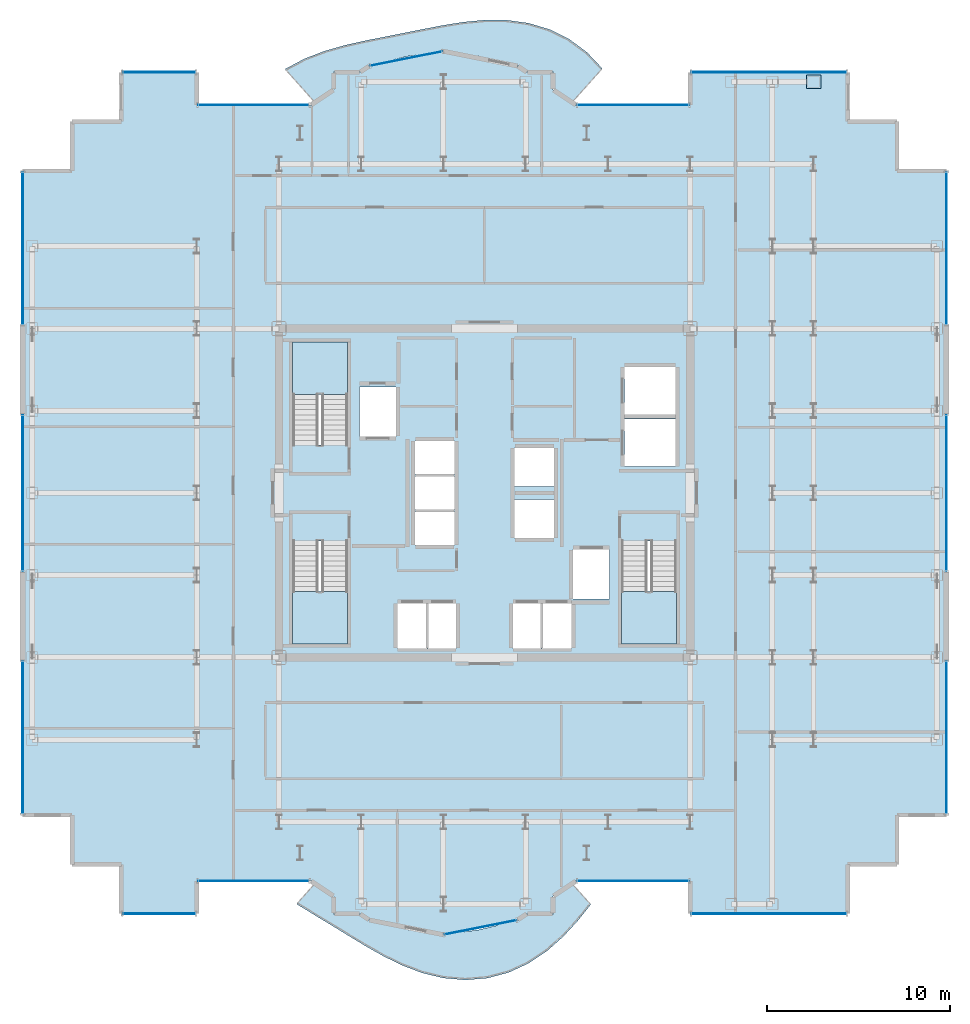
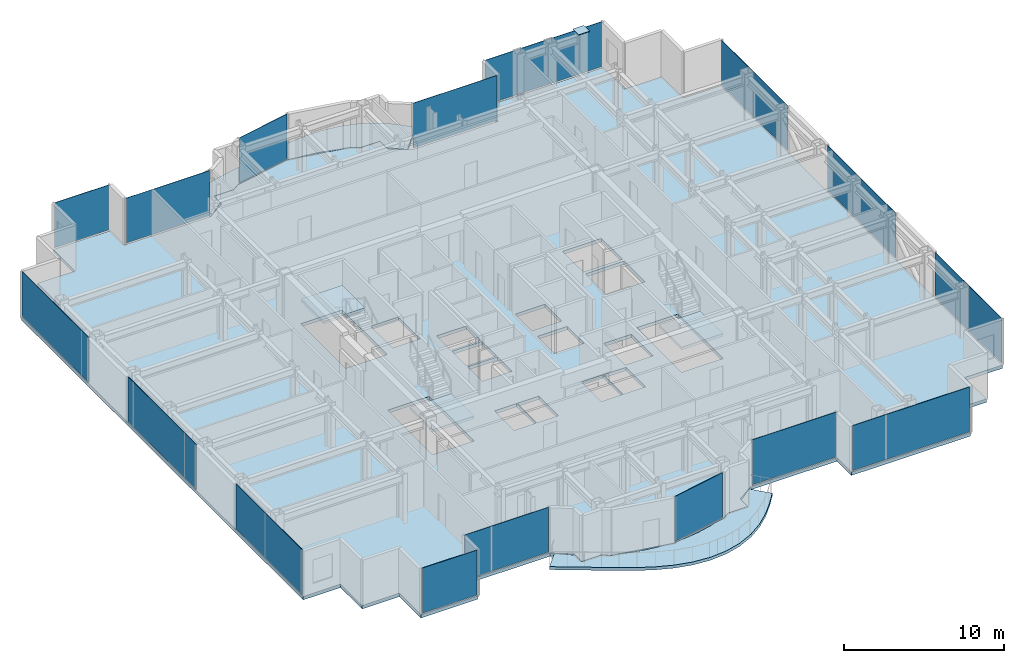
# One storey, part 14 of 22: 17 plates, 6 slabs, 19 elements without a shape of their own.
"""IFC4 building model written with IfcOpenShell, lengths in metres."""

from ifc_helpers import new_model, si_unit, direction, frame, origin, origin_2d, place, context, subcontext, project, spatial, polyline, rectangle, outline, extrude, source, transform, mapped, material, layer, layer_set, type_object, element, aggregate, save


model = new_model("IFC4")

# Units and contexts
model_context = context("Model", 3, precision=1e-05, world=origin(), true_north=direction((0.0, 1.0)))
body_context = subcontext(model_context, "Body", "Model", "MODEL_VIEW")
ifc_project = project(units=[si_unit("LENGTHUNIT", "METRE"), si_unit("AREAUNIT", "SQUARE_METRE"), si_unit("VOLUMEUNIT", "CUBIC_METRE"), si_unit("PLANEANGLEUNIT", "RADIAN"), si_unit("MASSUNIT", "GRAM", prefix="KILO")], contexts=[model_context])

# Site, building, storey
site_placement = place(None, origin())
site = spatial("IfcSite", under=ifc_project, at=site_placement, CompositionType="ELEMENT")
building_placement = place(site_placement, origin())
building = spatial("IfcBuilding", under=site, at=building_placement, Name="Nefas-Gora Pilgrimage Tower", CompositionType="ELEMENT")
storey_placement = place(building_placement, frame((0.0, 0.0, 218.0)))
storey = spatial("IfcBuildingStorey", under=building, at=storey_placement, Name="L54", CompositionType="ELEMENT", Elevation=218.0)

# Slabs
ifc_material_1 = material(Name="Concrete C40/50", Category="concrete")
ifc_layer_1 = layer(ifc_material_1, 0.22509765625)
ifc_layer_set_1 = layer_set([ifc_layer_1], Name="Concrete C40/50")
slab_type_1 = type_object("IfcSlabType", Name="SLB-BAL-P1", PredefinedType="FLOOR", material=ifc_layer_set_1)
slab_1_placement = place(storey_placement, frame((0.0, 0.0, -0.22509765625)))
element("IfcSlab", 1, at=slab_1_placement, inside=storey, type_object=slab_type_1, Name="L54 Sinusoidal Lobe Balcony Slab N (Phase 1)", PredefinedType="FLOOR", context=body_context, shape_type="SweptSolid", body=[
    extrude(outline(polyline([(-9.28759765625, 21.385986328125), (-9.224609375, 21.427978515625), (-8.538330078125, 21.9912109375), (-8.260009765625, 22.179931640625), (-8.260009765625, 23.02001953125), (-8.260009765625, 23.02099609375), (-8.259765625, 23.02197265625), (-8.259521484375, 23.02294921875), (-8.25927734375, 23.023681640625), (-8.2587890625, 23.024658203125), (-8.25830078125, 23.025634765625), (-8.2578125, 23.0263671875), (-8.257080078125, 23.027099609375), (-8.25634765625, 23.027587890625), (-8.255615234375, 23.0283203125), (-8.254638671875, 23.02880859375), (-8.25390625, 23.029296875), (-8.2529296875, 23.029541015625), (-8.251953125, 23.02978515625), (-8.2509765625, 23.030029296875), (-8.25, 23.030029296875), (-6.8271484375, 23.030029296875), (-6.31298828125, 23.37353515625), (-6.31201171875, 23.3740234375), (-6.311279296875, 23.37451171875), (-6.310302734375, 23.375), (-6.309326171875, 23.375), (-5.63037109375, 23.51025390625), (-5.102783203125, 23.685302734375), (-4.165283203125, 23.904052734375), (-3.211669921875, 24.035888671875), (-2.919921875, 24.04931640625), (-2.251953125, 24.18212890625), (-2.2509765625, 24.182373046875), (-2.25, 24.182373046875), (-2.2490234375, 24.182373046875), (-2.248046875, 24.18212890625), (-1.580078125, 24.04931640625), (-1.288330078125, 24.035888671875), (-0.334716796875, 23.904052734375), (0.602783203125, 23.685302734375), (1.13037109375, 23.51025390625), (1.809326171875, 23.375), (1.810302734375, 23.375), (1.811279296875, 23.37451171875), (1.81201171875, 23.3740234375), (1.81298828125, 23.37353515625), (2.3271484375, 23.030029296875), (3.75, 23.030029296875), (3.7509765625, 23.030029296875), (3.751953125, 23.02978515625), (3.7529296875, 23.029541015625), (3.75390625, 23.029296875), (3.754638671875, 23.02880859375), (3.755615234375, 23.0283203125), (3.75634765625, 23.027587890625), (3.757080078125, 23.027099609375), (3.7578125, 23.0263671875), (3.75830078125, 23.025634765625), (3.7587890625, 23.024658203125), (3.75927734375, 23.023681640625), (3.759521484375, 23.02294921875), (3.759765625, 23.02197265625), (3.760009765625, 23.02099609375), (3.760009765625, 23.02001953125), (3.760009765625, 22.179931640625), (4.038330078125, 21.9912109375), (4.724609375, 21.427978515625), (4.78759765625, 21.385986328125), (6.4453125, 23.22705078125), (5.615234375, 24.102783203125), (4.64697265625, 24.82470703125), (3.56640625, 25.364501953125), (2.41064453125, 25.711181640625), (1.22021484375, 25.87451171875), (0.031982421875, 25.882080078125), (-1.128662109375, 25.7744140625), (-2.25, 25.595947265625), (-3.335693359375, 25.38671875), (-4.400634765625, 25.17333984375), (-5.463623046875, 24.964599609375), (-6.54150390625, 24.749755859375), (-7.64111328125, 24.502197265625), (-8.754638671875, 24.184814453125), (-9.85888671875, 23.759521484375), (-10.916748046875, 23.1953125), (-9.28759765625, 21.385986328125)])), origin(), (0.0, 0.0, 1.0), 0.22509765625),
])
ifc_layer_2 = layer(ifc_material_1, 0.22998046875)
ifc_layer_set_2 = layer_set([ifc_layer_2], Name="Concrete C40/50")
slab_type_2 = type_object("IfcSlabType", Name="SLB-BAL-P5", PredefinedType="FLOOR", material=ifc_layer_set_2)
slab_2_placement = place(storey_placement, frame((0.0, 0.0, -0.22998046875)))
element("IfcSlab", 2, at=slab_2_placement, inside=storey, type_object=slab_type_2, Name="L54 Sinusoidal Lobe Balcony Slab S (Phase 5)", PredefinedType="FLOOR", context=body_context, shape_type="SweptSolid", body=[
    extrude(outline(polyline([(4.78759765625, -21.385986328125), (4.724609375, -21.427978515625), (4.038330078125, -21.9912109375), (3.760009765625, -22.179931640625), (3.760009765625, -23.02001953125), (3.760009765625, -23.02099609375), (3.759765625, -23.02197265625), (3.759521484375, -23.02294921875), (3.75927734375, -23.023681640625), (3.7587890625, -23.024658203125), (3.75830078125, -23.025634765625), (3.7578125, -23.0263671875), (3.757080078125, -23.027099609375), (3.75634765625, -23.027587890625), (3.755615234375, -23.0283203125), (3.754638671875, -23.02880859375), (3.75390625, -23.029296875), (3.7529296875, -23.029541015625), (3.751953125, -23.02978515625), (3.7509765625, -23.030029296875), (3.75, -23.030029296875), (2.3271484375, -23.030029296875), (1.81298828125, -23.37353515625), (1.81201171875, -23.3740234375), (1.811279296875, -23.37451171875), (1.810302734375, -23.375), (1.809326171875, -23.375), (1.13037109375, -23.51025390625), (0.602783203125, -23.685302734375), (-0.334716796875, -23.904052734375), (-1.288330078125, -24.035888671875), (-1.580078125, -24.04931640625), (-2.248046875, -24.18212890625), (-2.2490234375, -24.182373046875), (-2.25, -24.182373046875), (-2.2509765625, -24.182373046875), (-2.251953125, -24.18212890625), (-2.919921875, -24.04931640625), (-3.211669921875, -24.035888671875), (-4.165283203125, -23.904052734375), (-5.102783203125, -23.685302734375), (-5.63037109375, -23.51025390625), (-6.309326171875, -23.375), (-6.310302734375, -23.375), (-6.311279296875, -23.37451171875), (-6.31201171875, -23.3740234375), (-6.31298828125, -23.37353515625), (-6.8271484375, -23.030029296875), (-8.25, -23.030029296875), (-8.2509765625, -23.030029296875), (-8.251953125, -23.02978515625), (-8.2529296875, -23.029541015625), (-8.25390625, -23.029296875), (-8.254638671875, -23.02880859375), (-8.255615234375, -23.0283203125), (-8.25634765625, -23.027587890625), (-8.257080078125, -23.027099609375), (-8.2578125, -23.0263671875), (-8.25830078125, -23.025634765625), (-8.2587890625, -23.024658203125), (-8.25927734375, -23.023681640625), (-8.259521484375, -23.02294921875), (-8.259765625, -23.02197265625), (-8.260009765625, -23.02099609375), (-8.260009765625, -23.02001953125), (-8.260009765625, -22.179931640625), (-8.538330078125, -21.9912109375), (-9.224609375, -21.427978515625), (-9.28759765625, -21.385986328125), (-10.282958984375, -22.491455078125), (-9.343017578125, -23.068603515625), (-8.41552734375, -23.631103515625), (-7.49072265625, -24.197265625), (-6.548583984375, -24.768310546875), (-5.56591796875, -25.326904296875), (-4.52392578125, -25.83935546875), (-3.416015625, -26.2607421875), (-2.25, -26.5439453125), (-1.04833984375, -26.6484375), (0.1552734375, -26.548095703125), (1.322509765625, -26.23681640625), (2.417724609375, -25.729736328125), (3.416015625, -25.059814453125), (4.307861328125, -24.271240234375), (5.099365234375, -23.412109375), (5.8115234375, -22.523193359375), (4.78759765625, -21.385986328125)])), origin(), (0.0, 0.0, 1.0), 0.22998046875),
])
ifc_layer_3 = layer(ifc_material_1, 0.25)
ifc_layer_set_3 = layer_set([ifc_layer_3], Name="Concrete C40/50")
slab_type_3 = type_object("IfcSlabType", Name="SLB-TWR-260", PredefinedType="FLOOR", material=ifc_layer_set_3)
slab_3_placement = place(storey_placement, frame((0.0, 0.0, -0.25)))
element("IfcSlab", 3, at=slab_3_placement, inside=storey, type_object=slab_type_3, Name="L54 Structural Floor Slab", PredefinedType="FLOOR", context=body_context, shape_type="SweptSolid", body=[
    extrude(outline(polyline([(5.01806640625, -21.219970703125), (11.25, -21.219970703125), (11.25, -23.02001953125), (19.8701171875, -23.02001953125), (19.8701171875, -20.320068359375), (22.570068359375, -20.320068359375), (22.570068359375, -17.6201171875), (25.27001953125, -17.6201171875), (25.27001953125, 17.6201171875), (22.570068359375, 17.6201171875), (22.570068359375, 20.320068359375), (19.8701171875, 20.320068359375), (19.8701171875, 23.02001953125), (11.25, 23.02001953125), (11.25, 21.219970703125), (5.01806640625, 21.219970703125), (3.75, 22.0673828125), (3.75, 23.02001953125), (2.32421875, 23.02001953125), (1.807373046875, 23.365234375), (-2.25, 24.17236328125), (-6.307373046875, 23.365234375), (-6.82421875, 23.02001953125), (-8.25, 23.02001953125), (-8.25, 22.0673828125), (-9.51806640625, 21.219970703125), (-15.75, 21.219970703125), (-15.75, 23.02001953125), (-19.8701171875, 23.02001953125), (-19.8701171875, 20.320068359375), (-22.570068359375, 20.320068359375), (-22.570068359375, 17.6201171875), (-25.27001953125, 17.6201171875), (-25.27001953125, -17.6201171875), (-22.570068359375, -17.6201171875), (-22.570068359375, -20.320068359375), (-19.8701171875, -20.320068359375), (-19.8701171875, -23.02001953125), (-15.75, -23.02001953125), (-15.75, -21.219970703125), (-9.51806640625, -21.219970703125), (-8.25, -22.0673828125), (-8.25, -23.02001953125), (-6.82421875, -23.02001953125), (-6.307373046875, -23.365234375), (-2.25, -24.17236328125), (1.807373046875, -23.365234375), (2.32421875, -23.02001953125), (3.75, -23.02001953125), (3.75, -22.0673828125), (5.01806640625, -21.219970703125)]), holes=[polyline([(-10.5, 2.639892578125), (-10.5, 8.25), (-7.5, 8.25), (-7.5, 2.639892578125), (-10.5, 2.639892578125)]), polyline([(10.5, -2.639892578125), (10.5, -8.25), (7.5, -8.25), (7.5, -2.639892578125), (10.5, -2.639892578125)]), polyline([(-7.5, -2.639892578125), (-7.5, -8.25), (-10.5, -8.25), (-10.5, -2.639892578125), (-7.5, -2.639892578125)]), polyline([(-6.85009765625, 5.800048828125), (-4.85009765625, 5.800048828125), (-4.85009765625, 3.10009765625), (-6.85009765625, 3.10009765625), (-6.85009765625, 5.800048828125)]), polyline([(4.85009765625, -3.10009765625), (6.85009765625, -3.10009765625), (6.85009765625, -5.800048828125), (4.85009765625, -5.800048828125), (4.85009765625, -3.10009765625)]), polyline([(7.64990234375, 4.050048828125), (10.449951171875, 4.050048828125), (10.449951171875, 1.449951171875), (7.64990234375, 1.449951171875), (7.64990234375, 4.050048828125)]), polyline([(7.64990234375, 6.89990234375), (10.449951171875, 6.89990234375), (10.449951171875, 4.300048828125), (7.64990234375, 4.300048828125), (7.64990234375, 6.89990234375)]), polyline([(-4.75, -6.050048828125), (-3.14990234375, -6.050048828125), (-3.14990234375, -8.5), (-4.75, -8.5), (-4.75, -6.050048828125)]), polyline([(-3.10009765625, -6.050048828125), (-1.550048828125, -6.050048828125), (-1.550048828125, -8.5), (-3.10009765625, -8.5), (-3.10009765625, -6.050048828125)]), polyline([(1.550048828125, -6.050048828125), (3.10009765625, -6.050048828125), (3.10009765625, -8.5), (1.550048828125, -8.5), (1.550048828125, -6.050048828125)]), polyline([(3.14990234375, -6.050048828125), (4.75, -6.050048828125), (4.75, -8.5), (3.14990234375, -8.5), (3.14990234375, -6.050048828125)]), polyline([(-3.800048828125, -1.050048828125), (-1.64990234375, -1.050048828125), (-1.64990234375, -2.85009765625), (-3.800048828125, -2.85009765625), (-3.800048828125, -1.050048828125)]), polyline([(-3.800048828125, 0.89990234375), (-1.64990234375, 0.89990234375), (-1.64990234375, -0.89990234375), (-3.800048828125, -0.89990234375), (-3.800048828125, 0.89990234375)]), polyline([(-3.800048828125, 2.85009765625), (-1.64990234375, 2.85009765625), (-1.64990234375, 1.050048828125), (-3.800048828125, 1.050048828125), (-3.800048828125, 2.85009765625)]), polyline([(1.64990234375, -0.35009765625), (3.800048828125, -0.35009765625), (3.800048828125, -2.449951171875), (1.64990234375, -2.449951171875), (1.64990234375, -0.35009765625)]), polyline([(1.64990234375, 2.449951171875), (3.800048828125, 2.449951171875), (3.800048828125, 0.35009765625), (1.64990234375, 0.35009765625), (1.64990234375, 2.449951171875)])]), origin(), (0.0, 0.0, 1.0), 0.25),
])

# Stair, slab
ifc_material_2 = material(Name="Concrete C45/55", Category="concrete")
stair_type = type_object("IfcStairType", Name="STR-1400-R1727", PredefinedType="HALF_TURN_STAIR", material=ifc_material_2)
stair_1_placement = place(storey_placement, origin())
stair_1 = element("IfcStair", 4, at=stair_1_placement, inside=storey, type_object=stair_type, Name="L54 Pressurised Tower Exit Stair ST-01", PredefinedType="HALF_TURN_STAIR")
ifc_layer_4 = layer(ifc_material_1, 0.199951171875)
ifc_layer_set_4 = layer_set([ifc_layer_4], Name="Concrete C40/50")
slab_type_4 = type_object("IfcSlabType", Name="STR-LAND-200", PredefinedType="LANDING", material=ifc_layer_set_4)
slab_4_placement = place(storey_placement, frame((0.0, 0.0, 1.699951171875)))
slab_4 = element("IfcSlab", 5, at=slab_4_placement, type_object=slab_type_4, Name="ST-01 landing 1", PredefinedType="LANDING", context=body_context, shape_type="SweptSolid", body=[
    extrude(outline(polyline([(-7.5, 5.39990234375), (-7.5, 8.25), (-10.5, 8.25), (-10.5, 5.39990234375), (-7.5, 5.39990234375)])), origin(), (0.0, 0.0, 1.0), 0.199951171875),
])
aggregate(stair_1, [slab_4])

stair_2_placement = place(storey_placement, origin())
stair_2 = element("IfcStair", 6, at=stair_2_placement, inside=storey, type_object=stair_type, Name="L54 Pressurised Tower Exit Stair ST-02", PredefinedType="HALF_TURN_STAIR")
slab_5_placement = place(storey_placement, frame((0.0, 0.0, 1.699951171875)))
slab_5 = element("IfcSlab", 7, at=slab_5_placement, type_object=slab_type_4, Name="ST-02 landing 1", PredefinedType="LANDING", context=body_context, shape_type="SweptSolid", body=[
    extrude(outline(polyline([(7.5, -5.39990234375), (7.5, -8.25), (10.5, -8.25), (10.5, -5.39990234375), (7.5, -5.39990234375)])), origin(), (0.0, 0.0, 1.0), 0.199951171875),
])
aggregate(stair_2, [slab_5])

stair_3_placement = place(storey_placement, origin())
stair_3 = element("IfcStair", 8, at=stair_3_placement, inside=storey, type_object=stair_type, Name="L54 Pressurised Tower Exit Stair ST-03", PredefinedType="HALF_TURN_STAIR")
slab_6_placement = place(storey_placement, frame((0.0, 0.0, 1.699951171875)))
slab_6 = element("IfcSlab", 9, at=slab_6_placement, type_object=slab_type_4, Name="ST-03 landing 1", PredefinedType="LANDING", context=body_context, shape_type="SweptSolid", body=[
    extrude(outline(polyline([(-10.5, -5.39990234375), (-10.5, -8.25), (-7.5, -8.25), (-7.5, -5.39990234375), (-10.5, -5.39990234375)])), origin(), (0.0, 0.0, 1.0), 0.199951171875),
])
aggregate(stair_3, [slab_6])

# Plate
ifc_material_3 = material(Name="Steel S460", Category="steel")
ifc_layer_5 = layer(ifc_material_3, 0.0400390625)
ifc_layer_set_5 = layer_set([ifc_layer_5], Name="Steel S460")
plate_type_1 = type_object("IfcPlateType", Name="PLT-ENDCAP-40", PredefinedType="SHEET", material=ifc_layer_set_5)
shared_shape_1 = source(origin(), body_context, "Body", "SweptSolid", [
    extrude(rectangle(XDim=0.79296875, YDim=0.72998046875, at=origin_2d()), origin(), (0.0, 0.0, 1.0), 0.050048828125),
])
plate_1_placement = place(storey_placement, frame((18.0, 22.5, 3.77490234375), z_axis=(0.0, 0.0, 1.0), x_axis=(1.0, 0.0, 0.0)))
element("IfcPlate", 10, at=plate_1_placement, inside=storey, type_object=plate_type_1, Name="L54 Setback Hollow Column Top Cap Plate 44", PredefinedType="SHEET", context=body_context, shape_type="MappedRepresentation", body=[
    mapped(shared_shape_1, transform((0.0, 0.0, 0.0), x_axis=(1.0, 0.0, 0.0), y_axis=(0.0, 1.0, 0.0), z_axis=(0.0, 0.0, 1.0), scale=1.0)),
])

# Curtain wall, plate
ifc_material_4 = material(Name="Dark ceramic-fritted solar-control aluminium-glass curtain wall", Category="aluminium")
ifc_layer_6 = layer(ifc_material_4, 0.219970703125)
ifc_layer_set_6 = layer_set([ifc_layer_6], Name="Dark ceramic-fritted solar-control aluminium-glass curtain wall")
curtain_wall_type_1 = type_object("IfcCurtainWallType", Name="CW-SYS-5", PredefinedType="NOTDEFINED", material=ifc_layer_set_6)
curtain_wall_1_placement = place(storey_placement, origin())
curtain_wall_1 = element("IfcCurtainWall", 11, at=curtain_wall_1_placement, inside=storey, type_object=curtain_wall_type_1, Name="L54 Unitised Curtain Wall CW5", PredefinedType="NOTDEFINED")
ifc_material_5 = material(Name="Dark ceramic-printed low-e insulated glass", Category="glass")
ifc_layer_7 = layer(ifc_material_5, 0.028076171875)
ifc_layer_set_7 = layer_set([ifc_layer_7], Name="Dark ceramic-printed low-e insulated glass")
plate_type_2 = type_object("IfcPlateType", Name="CWP-PNL-5", PredefinedType="CURTAIN_PANEL", material=ifc_layer_set_7)
shared_shape_2 = source(origin(), body_context, "Body", "SweptSolid", [
    extrude(rectangle(XDim=6.052001953125, YDim=0.028076171875, at=origin_2d()), origin(), (0.0, 0.0, 1.0), 3.43994140625),
])
plate_2_placement = place(storey_placement, frame((8.134033203125, -21.219970703125, 0.10009765625), z_axis=(0.0, 0.0, 1.0), x_axis=(1.0, 0.0, 0.0)))
plate_2 = element("IfcPlate", 12, at=plate_2_placement, type_object=plate_type_2, Name="CW5 Ceramic-Fritted Glazing Panel 1", PredefinedType="CURTAIN_PANEL", context=body_context, shape_type="MappedRepresentation", body=[
    mapped(shared_shape_2, transform((0.0, 0.0, 0.0), x_axis=(1.0, 0.0, 0.0), y_axis=(0.0, 1.0, 0.0), z_axis=(0.0, 0.0, 1.0), scale=1.0)),
])
aggregate(curtain_wall_1, [plate_2])

curtain_wall_2_placement = place(storey_placement, origin())
curtain_wall_2 = element("IfcCurtainWall", 13, at=curtain_wall_2_placement, inside=storey, type_object=curtain_wall_type_1, Name="L54 Unitised Curtain Wall CW5", PredefinedType="NOTDEFINED")
plate_3_placement = place(storey_placement, frame((8.134033203125, 21.219970703125, 0.10009765625), z_axis=(0.0, 0.0, 1.0), x_axis=(-1.0, 0.0, 0.0)))
plate_3 = element("IfcPlate", 14, at=plate_3_placement, type_object=plate_type_2, Name="CW5 Ceramic-Fritted Glazing Panel 1", PredefinedType="CURTAIN_PANEL", context=body_context, shape_type="MappedRepresentation", body=[
    mapped(shared_shape_2, transform((0.0, 0.0, 0.0), x_axis=(1.0, 0.0, 0.0), y_axis=(0.0, 1.0, 0.0), z_axis=(0.0, 0.0, 1.0), scale=1.0)),
])
aggregate(curtain_wall_2, [plate_3])

curtain_wall_3_placement = place(storey_placement, origin())
curtain_wall_3 = element("IfcCurtainWall", 15, at=curtain_wall_3_placement, inside=storey, type_object=curtain_wall_type_1, Name="L54 Unitised Curtain Wall CW5", PredefinedType="NOTDEFINED")
plate_4_placement = place(storey_placement, frame((-12.634033203125, 21.219970703125, 0.10009765625), z_axis=(0.0, 0.0, 1.0), x_axis=(-1.0, 0.0, 0.0)))
plate_4 = element("IfcPlate", 16, at=plate_4_placement, type_object=plate_type_2, Name="CW5 Ceramic-Fritted Glazing Panel 1", PredefinedType="CURTAIN_PANEL", context=body_context, shape_type="MappedRepresentation", body=[
    mapped(shared_shape_2, transform((0.0, 0.0, 0.0), x_axis=(1.0, 0.0, 0.0), y_axis=(0.0, 1.0, 0.0), z_axis=(0.0, 0.0, 1.0), scale=1.0)),
])
aggregate(curtain_wall_3, [plate_4])

curtain_wall_4_placement = place(storey_placement, origin())
curtain_wall_4 = element("IfcCurtainWall", 17, at=curtain_wall_4_placement, inside=storey, type_object=curtain_wall_type_1, Name="L54 Unitised Curtain Wall CW5", PredefinedType="NOTDEFINED")
plate_5_placement = place(storey_placement, frame((-12.634033203125, -21.219970703125, 0.10009765625), z_axis=(0.0, 0.0, 1.0), x_axis=(1.0, 0.0, 0.0)))
plate_5 = element("IfcPlate", 18, at=plate_5_placement, type_object=plate_type_2, Name="CW5 Ceramic-Fritted Glazing Panel 1", PredefinedType="CURTAIN_PANEL", context=body_context, shape_type="MappedRepresentation", body=[
    mapped(shared_shape_2, transform((0.0, 0.0, 0.0), x_axis=(1.0, 0.0, 0.0), y_axis=(0.0, 1.0, 0.0), z_axis=(0.0, 0.0, 1.0), scale=1.0)),
])
aggregate(curtain_wall_4, [plate_5])

curtain_wall_5_placement = place(storey_placement, origin())
curtain_wall_5 = element("IfcCurtainWall", 19, at=curtain_wall_5_placement, inside=storey, type_object=curtain_wall_type_1, Name="L54 Unitised Curtain Wall CW5", PredefinedType="NOTDEFINED")
shared_shape_3 = source(origin(), body_context, "Body", "SweptSolid", [
    extrude(rectangle(XDim=3.956787109375, YDim=0.028076171875, at=origin_2d()), origin(), (0.0, 0.0, 1.0), 3.43994140625),
])
plate_6_placement = place(storey_placement, frame((-4.278564453125, 23.768798828125, 0.10009765625), z_axis=(0.0, 0.0, 1.0), x_axis=(-0.980782896852, -0.195102304554, 0.0)))
plate_6 = element("IfcPlate", 20, at=plate_6_placement, type_object=plate_type_2, Name="CW5 Ceramic-Fritted Glazing Panel 1", PredefinedType="CURTAIN_PANEL", context=body_context, shape_type="MappedRepresentation", body=[
    mapped(shared_shape_3, transform((0.0, 0.0, 0.0), x_axis=(1.0, 0.0, 0.0), y_axis=(0.0, 1.0, 0.0), z_axis=(0.0, 0.0, 1.0), scale=1.0)),
])
aggregate(curtain_wall_5, [plate_6])

curtain_wall_6_placement = place(storey_placement, origin())
curtain_wall_6 = element("IfcCurtainWall", 21, at=curtain_wall_6_placement, inside=storey, type_object=curtain_wall_type_1, Name="L54 Unitised Curtain Wall CW5", PredefinedType="NOTDEFINED")
plate_7_placement = place(storey_placement, frame((-0.221435546875, -23.768798828125, 0.10009765625), z_axis=(0.0, 0.0, 1.0), x_axis=(0.980782896852, 0.195102304554, 0.0)))
plate_7 = element("IfcPlate", 22, at=plate_7_placement, type_object=plate_type_2, Name="CW5 Ceramic-Fritted Glazing Panel 1", PredefinedType="CURTAIN_PANEL", context=body_context, shape_type="MappedRepresentation", body=[
    mapped(shared_shape_3, transform((0.0, 0.0, 0.0), x_axis=(1.0, 0.0, 0.0), y_axis=(0.0, 1.0, 0.0), z_axis=(0.0, 0.0, 1.0), scale=1.0)),
])
aggregate(curtain_wall_6, [plate_7])

ifc_layer_8 = layer(ifc_material_4, 0.219970703125)
ifc_layer_set_8 = layer_set([ifc_layer_8], Name="Dark ceramic-fritted solar-control aluminium-glass curtain wall")
curtain_wall_type_2 = type_object("IfcCurtainWallType", Name="CW-SYS-3", PredefinedType="NOTDEFINED", material=ifc_layer_set_8)
curtain_wall_7_placement = place(storey_placement, origin())
curtain_wall_7 = element("IfcCurtainWall", 23, at=curtain_wall_7_placement, inside=storey, type_object=curtain_wall_type_2, Name="L54 Unitised Curtain Wall CW3", PredefinedType="NOTDEFINED")
ifc_layer_9 = layer(ifc_material_5, 0.033935546875)
ifc_layer_set_9 = layer_set([ifc_layer_9], Name="Dark ceramic-printed low-e insulated glass")
plate_type_3 = type_object("IfcPlateType", Name="CWP-PNL-3", PredefinedType="CURTAIN_PANEL", material=ifc_layer_set_9)
shared_shape_4 = source(origin(), body_context, "Body", "SweptSolid", [
    extrude(rectangle(XDim=8.43994140625, YDim=0.033935546875, at=origin_2d()), origin(), (0.0, 0.0, 1.0), 3.43994140625),
])
plate_8_placement = place(storey_placement, frame((15.56005859375, -23.02001953125, 0.10009765625), z_axis=(0.0, 0.0, 1.0), x_axis=(1.0, 0.0, 0.0)))
plate_8 = element("IfcPlate", 24, at=plate_8_placement, type_object=plate_type_3, Name="CW3 Ceramic-Fritted Glazing Panel 1", PredefinedType="CURTAIN_PANEL", context=body_context, shape_type="MappedRepresentation", body=[
    mapped(shared_shape_4, transform((0.0, 0.0, 0.0), x_axis=(1.0, 0.0, 0.0), y_axis=(0.0, 1.0, 0.0), z_axis=(0.0, 0.0, 1.0), scale=1.0)),
])
aggregate(curtain_wall_7, [plate_8])

curtain_wall_8_placement = place(storey_placement, origin())
curtain_wall_8 = element("IfcCurtainWall", 25, at=curtain_wall_8_placement, inside=storey, type_object=curtain_wall_type_2, Name="L54 Unitised Curtain Wall CW3", PredefinedType="NOTDEFINED")
plate_9_placement = place(storey_placement, frame((15.56005859375, 23.02001953125, 0.10009765625), z_axis=(0.0, 0.0, 1.0), x_axis=(-1.0, 0.0, 0.0)))
plate_9 = element("IfcPlate", 26, at=plate_9_placement, type_object=plate_type_3, Name="CW3 Ceramic-Fritted Glazing Panel 1", PredefinedType="CURTAIN_PANEL", context=body_context, shape_type="MappedRepresentation", body=[
    mapped(shared_shape_4, transform((0.0, 0.0, 0.0), x_axis=(1.0, 0.0, 0.0), y_axis=(0.0, 1.0, 0.0), z_axis=(0.0, 0.0, 1.0), scale=1.0)),
])
aggregate(curtain_wall_8, [plate_9])

curtain_wall_9_placement = place(storey_placement, origin())
curtain_wall_9 = element("IfcCurtainWall", 27, at=curtain_wall_9_placement, inside=storey, type_object=curtain_wall_type_2, Name="L54 Unitised Curtain Wall CW3", PredefinedType="NOTDEFINED")
shared_shape_5 = source(origin(), body_context, "Body", "SweptSolid", [
    extrude(rectangle(XDim=8.2900390625, YDim=0.033935546875, at=origin_2d()), origin(), (0.0, 0.0, 1.0), 3.43994140625),
])
plate_10_placement = place(storey_placement, frame((25.27001953125, -13.385009765625, 0.10009765625), z_axis=(0.0, 0.0, 1.0), x_axis=(0.0, 1.0, 0.0)))
plate_10 = element("IfcPlate", 28, at=plate_10_placement, type_object=plate_type_3, Name="CW3 Ceramic-Fritted Glazing Panel 1", PredefinedType="CURTAIN_PANEL", context=body_context, shape_type="MappedRepresentation", body=[
    mapped(shared_shape_5, transform((0.0, 0.0, 0.0), x_axis=(1.0, 0.0, 0.0), y_axis=(0.0, 1.0, 0.0), z_axis=(0.0, 0.0, 1.0), scale=1.0)),
])
aggregate(curtain_wall_9, [plate_10])

curtain_wall_10_placement = place(storey_placement, origin())
curtain_wall_10 = element("IfcCurtainWall", 29, at=curtain_wall_10_placement, inside=storey, type_object=curtain_wall_type_2, Name="L54 Unitised Curtain Wall CW3", PredefinedType="NOTDEFINED")
plate_11_placement = place(storey_placement, frame((25.27001953125, 13.385009765625, 0.10009765625), z_axis=(0.0, 0.0, 1.0), x_axis=(0.0, 1.0, 0.0)))
plate_11 = element("IfcPlate", 30, at=plate_11_placement, type_object=plate_type_3, Name="CW3 Ceramic-Fritted Glazing Panel 1", PredefinedType="CURTAIN_PANEL", context=body_context, shape_type="MappedRepresentation", body=[
    mapped(shared_shape_5, transform((0.0, 0.0, 0.0), x_axis=(1.0, 0.0, 0.0), y_axis=(0.0, 1.0, 0.0), z_axis=(0.0, 0.0, 1.0), scale=1.0)),
])
aggregate(curtain_wall_10, [plate_11])

curtain_wall_11_placement = place(storey_placement, origin())
curtain_wall_11 = element("IfcCurtainWall", 31, at=curtain_wall_11_placement, inside=storey, type_object=curtain_wall_type_2, Name="L54 Unitised Curtain Wall CW3", PredefinedType="NOTDEFINED")
plate_12_placement = place(storey_placement, frame((-25.27001953125, 13.385009765625, 0.10009765625), z_axis=(0.0, 0.0, 1.0), x_axis=(0.0, -1.0, 0.0)))
plate_12 = element("IfcPlate", 32, at=plate_12_placement, type_object=plate_type_3, Name="CW3 Ceramic-Fritted Glazing Panel 1", PredefinedType="CURTAIN_PANEL", context=body_context, shape_type="MappedRepresentation", body=[
    mapped(shared_shape_5, transform((0.0, 0.0, 0.0), x_axis=(1.0, 0.0, 0.0), y_axis=(0.0, 1.0, 0.0), z_axis=(0.0, 0.0, 1.0), scale=1.0)),
])
aggregate(curtain_wall_11, [plate_12])

curtain_wall_12_placement = place(storey_placement, origin())
curtain_wall_12 = element("IfcCurtainWall", 33, at=curtain_wall_12_placement, inside=storey, type_object=curtain_wall_type_2, Name="L54 Unitised Curtain Wall CW3", PredefinedType="NOTDEFINED")
plate_13_placement = place(storey_placement, frame((-25.27001953125, -13.385009765625, 0.10009765625), z_axis=(0.0, 0.0, 1.0), x_axis=(0.0, -1.0, 0.0)))
plate_13 = element("IfcPlate", 34, at=plate_13_placement, type_object=plate_type_3, Name="CW3 Ceramic-Fritted Glazing Panel 1", PredefinedType="CURTAIN_PANEL", context=body_context, shape_type="MappedRepresentation", body=[
    mapped(shared_shape_5, transform((0.0, 0.0, 0.0), x_axis=(1.0, 0.0, 0.0), y_axis=(0.0, 1.0, 0.0), z_axis=(0.0, 0.0, 1.0), scale=1.0)),
])
aggregate(curtain_wall_12, [plate_13])

curtain_wall_13_placement = place(storey_placement, origin())
curtain_wall_13 = element("IfcCurtainWall", 35, at=curtain_wall_13_placement, inside=storey, type_object=curtain_wall_type_2, Name="L54 Unitised Curtain Wall CW3", PredefinedType="NOTDEFINED")
shared_shape_6 = source(origin(), body_context, "Body", "SweptSolid", [
    extrude(rectangle(XDim=8.52001953125, YDim=0.033935546875, at=origin_2d()), origin(), (0.0, 0.0, 1.0), 3.43994140625),
])
plate_14_placement = place(storey_placement, frame((25.27001953125, 0.0, 0.10009765625), z_axis=(0.0, 0.0, 1.0), x_axis=(0.0, 1.0, 0.0)))
plate_14 = element("IfcPlate", 36, at=plate_14_placement, type_object=plate_type_3, Name="CW3 Ceramic-Fritted Glazing Panel 1", PredefinedType="CURTAIN_PANEL", context=body_context, shape_type="MappedRepresentation", body=[
    mapped(shared_shape_6, transform((0.0, 0.0, 0.0), x_axis=(1.0, 0.0, 0.0), y_axis=(0.0, 1.0, 0.0), z_axis=(0.0, 0.0, 1.0), scale=1.0)),
])
aggregate(curtain_wall_13, [plate_14])

curtain_wall_14_placement = place(storey_placement, origin())
curtain_wall_14 = element("IfcCurtainWall", 37, at=curtain_wall_14_placement, inside=storey, type_object=curtain_wall_type_2, Name="L54 Unitised Curtain Wall CW3", PredefinedType="NOTDEFINED")
plate_15_placement = place(storey_placement, frame((-25.27001953125, 0.0, 0.10009765625), z_axis=(0.0, 0.0, 1.0), x_axis=(0.0, -1.0, 0.0)))
plate_15 = element("IfcPlate", 38, at=plate_15_placement, type_object=plate_type_3, Name="CW3 Ceramic-Fritted Glazing Panel 1", PredefinedType="CURTAIN_PANEL", context=body_context, shape_type="MappedRepresentation", body=[
    mapped(shared_shape_6, transform((0.0, 0.0, 0.0), x_axis=(1.0, 0.0, 0.0), y_axis=(0.0, 1.0, 0.0), z_axis=(0.0, 0.0, 1.0), scale=1.0)),
])
aggregate(curtain_wall_14, [plate_15])

curtain_wall_15_placement = place(storey_placement, origin())
curtain_wall_15 = element("IfcCurtainWall", 39, at=curtain_wall_15_placement, inside=storey, type_object=curtain_wall_type_2, Name="L54 Unitised Curtain Wall CW3", PredefinedType="NOTDEFINED")
shared_shape_7 = source(origin(), body_context, "Body", "SweptSolid", [
    extrude(rectangle(XDim=3.93994140625, YDim=0.033935546875, at=origin_2d()), origin(), (0.0, 0.0, 1.0), 3.43994140625),
])
plate_16_placement = place(storey_placement, frame((-17.81005859375, 23.02001953125, 0.10009765625), z_axis=(0.0, 0.0, 1.0), x_axis=(-1.0, 0.0, 0.0)))
plate_16 = element("IfcPlate", 40, at=plate_16_placement, type_object=plate_type_3, Name="CW3 Ceramic-Fritted Glazing Panel 1", PredefinedType="CURTAIN_PANEL", context=body_context, shape_type="MappedRepresentation", body=[
    mapped(shared_shape_7, transform((0.0, 0.0, 0.0), x_axis=(1.0, 0.0, 0.0), y_axis=(0.0, 1.0, 0.0), z_axis=(0.0, 0.0, 1.0), scale=1.0)),
])
aggregate(curtain_wall_15, [plate_16])

curtain_wall_16_placement = place(storey_placement, origin())
curtain_wall_16 = element("IfcCurtainWall", 41, at=curtain_wall_16_placement, inside=storey, type_object=curtain_wall_type_2, Name="L54 Unitised Curtain Wall CW3", PredefinedType="NOTDEFINED")
plate_17_placement = place(storey_placement, frame((-17.81005859375, -23.02001953125, 0.10009765625), z_axis=(0.0, 0.0, 1.0), x_axis=(1.0, 0.0, 0.0)))
plate_17 = element("IfcPlate", 42, at=plate_17_placement, type_object=plate_type_3, Name="CW3 Ceramic-Fritted Glazing Panel 1", PredefinedType="CURTAIN_PANEL", context=body_context, shape_type="MappedRepresentation", body=[
    mapped(shared_shape_7, transform((0.0, 0.0, 0.0), x_axis=(1.0, 0.0, 0.0), y_axis=(0.0, 1.0, 0.0), z_axis=(0.0, 0.0, 1.0), scale=1.0)),
])
aggregate(curtain_wall_16, [plate_17])

save(model, "model.ifc")
